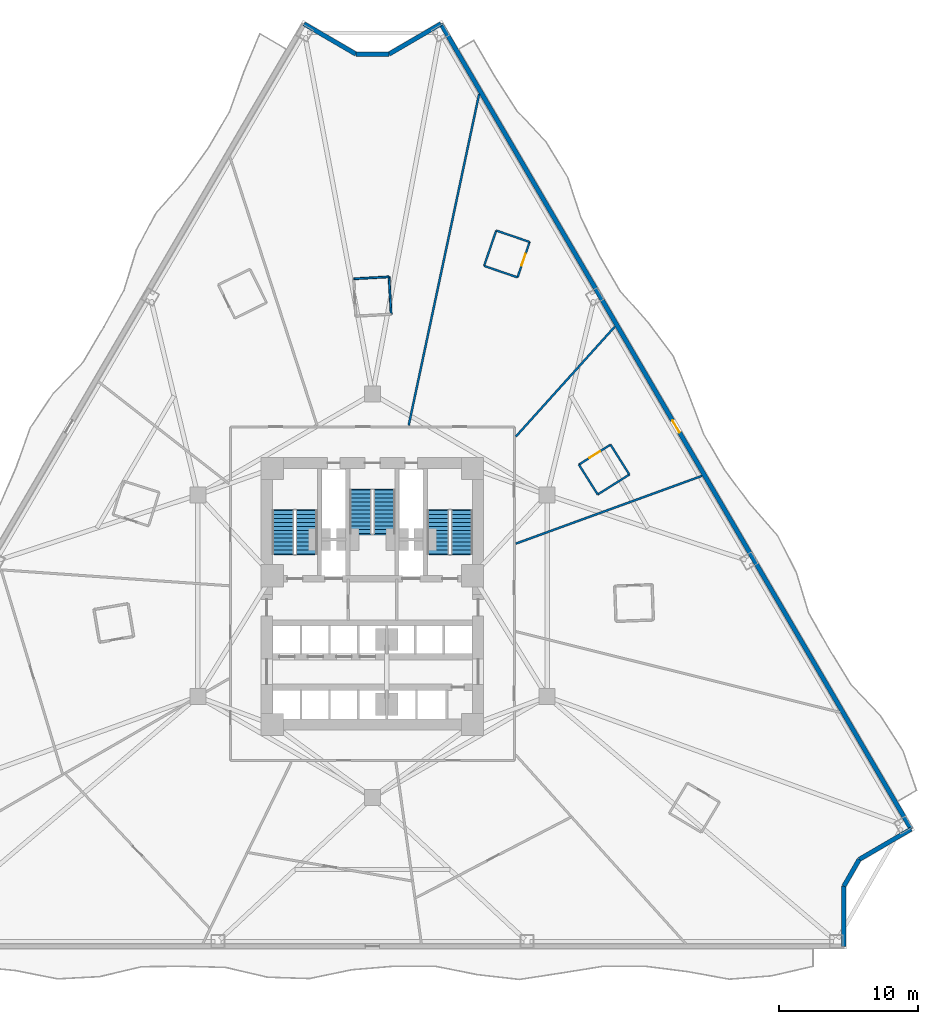
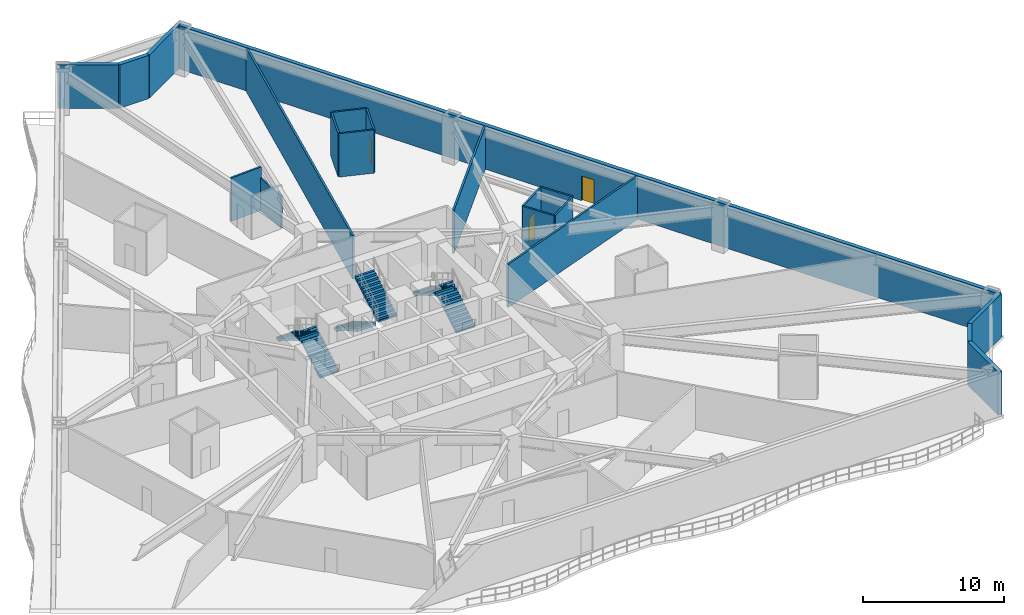
# One storey, part 7 of 12: 20 walls, 6 stair flights, 3 doors, 3 openings, 3 elements without a shape of their own.
"""IFC4 building model written with IfcOpenShell, lengths in metres."""

from ifc_helpers import new_model, si_unit, direction, frame, frame_2d, origin, place, context, subcontext, project, spatial, polyline, rectangle, outline, extrude, material, layer, layer_set, type_object, element, fill, aggregate, save


model = new_model("IFC4")

# Units and contexts
model_context = context("Model", 3, precision=1e-05, world=origin(), true_north=direction((0.0, 1.0)))
body_context = subcontext(model_context, "Body", "Model", "MODEL_VIEW")
ifc_project = project(units=[si_unit("LENGTHUNIT", "METRE"), si_unit("AREAUNIT", "SQUARE_METRE"), si_unit("VOLUMEUNIT", "CUBIC_METRE"), si_unit("PLANEANGLEUNIT", "RADIAN"), si_unit("MASSUNIT", "GRAM", prefix="KILO")], contexts=[model_context])

# Site, building, storey
site_placement = place(None, origin())
site = spatial("IfcSite", under=ifc_project, at=site_placement, CompositionType="ELEMENT")
building_placement = place(site_placement, origin())
building = spatial("IfcBuilding", under=site, at=building_placement, Name="Apsidion Concourse Tower", CompositionType="ELEMENT")
storey_placement = place(building_placement, frame((0.0, 0.0, 50.39990234375)))
storey = spatial("IfcBuildingStorey", under=building, at=storey_placement, Name="L10", CompositionType="ELEMENT", Elevation=50.39990234375)

# Wall, opening, door
ifc_material_1 = material(Name="Precast concrete C40/50", Category="concrete")
ifc_layer_1 = layer(ifc_material_1, 0.320068359375)
ifc_layer_set_1 = layer_set([ifc_layer_1], Name="Precast concrete C40/50")
wall_type_1 = type_object("IfcWallType", Name="WL-EXT-320", PredefinedType="STANDARD", material=ifc_layer_set_1)
wall_1_placement = place(storey_placement, frame((4.9228515625, 41.121826171875, 0.0), z_axis=(0.0, 0.0, 1.0), x_axis=(0.504213113214, -0.863579258935, 0.0)))
wall_1 = element("IfcWall", 1, at=wall_1_placement, inside=storey, type_object=wall_type_1, Name="L10 Precast Stone Facade Wall 01", PredefinedType="STANDARD", context=body_context, shape_type="SweptSolid", body=[
    extrude(rectangle(XDim=67.041015625, YDim=0.320068359375, at=frame_2d((33.5205078125, 0.0))), origin(), (0.0, 0.0, 1.0), 3.75),
])
opening_1_placement = place(wall_1_placement, frame((33.0205078125, 0.0, 0.0)))
opening_1 = element("IfcOpeningElement", 2, at=opening_1_placement, cuts=wall_1, Name="Opening D-T1L", PredefinedType="OPENING", context=body_context, shape_type="SweptSolid", body=[
    extrude(rectangle(XDim=1.0, YDim=2.14990234375, at=frame_2d((0.5, 1.074951171875))), frame((0.0, 0.169921875, 0.0), z_axis=(0.0, -1.0, 0.0), x_axis=(1.0, 0.0, 0.0)), (0.0, 0.0, 1.0), 0.340087890625),
])
ifc_material_2 = material(Name="Anodised aluminium EN AW-6063 T6", Category="aluminium")
door_type_1 = type_object("IfcDoorType", Name="DR-TER-1022L", OperationType="SINGLE_SWING_LEFT", PredefinedType="DOOR", material=ifc_material_2)
door_1_placement = place(opening_1_placement, origin())
door_1 = element("IfcDoor", 3, at=door_1_placement, inside=storey, type_object=door_type_1, Name="L10 Balcony Access Door 3", OperationType="SINGLE_SWING_LEFT", OverallHeight=2.14990234375, OverallWidth=1.0, PredefinedType="DOOR", context=body_context, shape_type="SweptSolid", body=[
    extrude(rectangle(XDim=1.0, YDim=2.14990234375, at=frame_2d((0.5, 1.074951171875))), frame((0.0, 0.02490234375, 0.0), z_axis=(0.0, -1.0, 0.0), x_axis=(1.0, 0.0, 0.0)), (0.0, 0.0, 1.0), 0.050048828125),
])
fill(opening_1, door_1)

# Walls
wall_2_placement = place(storey_placement, frame((38.725830078125, -16.7734375, 0.0), z_axis=(0.0, 0.0, 1.0), x_axis=(-0.863569936823, -0.504229079105, 0.0)))
element("IfcWall", 4, at=wall_2_placement, inside=storey, type_object=wall_type_1, Name="L10 Precast Stone Facade Wall 02", PredefinedType="STANDARD", context=body_context, shape_type="SweptSolid", body=[
    extrude(rectangle(XDim=4.32373046875, YDim=0.320068359375, at=frame_2d((2.161865234375, 0.0))), origin(), (0.0, 0.0, 1.0), 3.75),
])
wall_3_placement = place(storey_placement, frame((34.991943359375, -18.95361328125, 0.0), z_axis=(0.0, 0.0, 1.0), x_axis=(-0.497881323344, -0.867245171717, 0.0)))
element("IfcWall", 5, at=wall_3_placement, inside=storey, type_object=wall_type_1, Name="L10 Precast Stone Facade Wall 03", PredefinedType="STANDARD", context=body_context, shape_type="SweptSolid", body=[
    extrude(rectangle(XDim=2.216796875, YDim=0.320068359375, at=frame_2d((1.1083984375, 0.0))), origin(), (0.0, 0.0, 1.0), 3.75),
])
wall_4_placement = place(storey_placement, frame((33.88818359375, -20.876220703125, 0.0), z_axis=(0.0, 0.0, 1.0), x_axis=(0.0, -1.0, 0.0)))
element("IfcWall", 6, at=wall_4_placement, inside=storey, type_object=wall_type_1, Name="L10 Precast Stone Facade Wall 04", PredefinedType="STANDARD", context=body_context, shape_type="SweptSolid", body=[
    extrude(rectangle(XDim=4.32373046875, YDim=0.320068359375, at=frame_2d((2.161865234375, 0.0))), origin(), (0.0, 0.0, 1.0), 3.75),
])
wall_5_placement = place(storey_placement, frame((-4.9228515625, 41.121826171875, 0.0), z_axis=(0.0, 0.0, 1.0), x_axis=(0.863588414101, -0.50419743259, 0.0)))
element("IfcWall", 7, at=wall_5_placement, inside=storey, type_object=wall_type_1, Name="L10 Precast Stone Facade Wall 10", PredefinedType="STANDARD", context=body_context, shape_type="SweptSolid", body=[
    extrude(rectangle(XDim=4.324462890625, YDim=0.320068359375, at=frame_2d((2.162109375, 0.0))), origin(), (0.0, 0.0, 1.0), 3.75),
])
wall_6_placement = place(storey_placement, frame((-1.188232421875, 38.94140625, 0.0), z_axis=(0.0, 0.0, 1.0), x_axis=(1.0, 0.0, 0.0)))
element("IfcWall", 8, at=wall_6_placement, inside=storey, type_object=wall_type_1, Name="L10 Precast Stone Facade Wall 11", PredefinedType="STANDARD", context=body_context, shape_type="SweptSolid", body=[
    extrude(rectangle(XDim=2.37646484375, YDim=0.320068359375, at=frame_2d((1.188232421875, 0.0))), origin(), (0.0, 0.0, 1.0), 3.75),
])
wall_7_placement = place(storey_placement, frame((1.188232421875, 38.94140625, 0.0), z_axis=(0.0, 0.0, 1.0), x_axis=(0.863588414101, 0.50419743259, 0.0)))
element("IfcWall", 9, at=wall_7_placement, inside=storey, type_object=wall_type_1, Name="L10 Precast Stone Facade Wall 12", PredefinedType="STANDARD", context=body_context, shape_type="SweptSolid", body=[
    extrude(rectangle(XDim=4.324462890625, YDim=0.320068359375, at=frame_2d((2.162109375, 0.0))), origin(), (0.0, 0.0, 1.0), 3.75),
])
ifc_material_3 = material(Name="Gypsum plasterboard partition")
ifc_layer_2 = layer(ifc_material_3, 0.139892578125)
ifc_layer_set_2 = layer_set([ifc_layer_2], Name="Gypsum plasterboard partition")
wall_type_2 = type_object("IfcWallType", Name="WL-INT-PAR-140", PredefinedType="PARTITIONING", material=ifc_layer_set_2)
wall_8_placement = place(storey_placement, frame((16.19287109375, 7.283203125, 0.0), z_axis=(0.0, 0.0, 1.0), x_axis=(0.846152501914, 0.532940844282, 0.0)))
element("IfcWall", 10, at=wall_8_placement, inside=storey, type_object=wall_type_2, Name="L10 Interior Partition WL-L10-POD-ENS06-S1", PredefinedType="PARTITIONING", context=body_context, shape_type="SweptSolid", body=[
    extrude(rectangle(XDim=2.68994140625, YDim=0.139892578125, at=frame_2d((1.344970703125, 0.0))), origin(), (0.0, 0.0, 1.0), 3.75),
])
wall_9_placement = place(storey_placement, frame((18.468994140625, 8.716796875, 0.0), z_axis=(0.0, 0.0, 1.0), x_axis=(-0.53290759563, 0.846173442339, 0.0)))
element("IfcWall", 11, at=wall_9_placement, inside=storey, type_object=wall_type_2, Name="L10 Interior Partition WL-L10-POD-ENS06-S2", PredefinedType="PARTITIONING", context=body_context, shape_type="SweptSolid", body=[
    extrude(rectangle(XDim=2.539794921875, YDim=0.139892578125, at=frame_2d((1.27001953125, 0.0))), origin(), (0.0, 0.0, 1.0), 3.75),
])

# Wall, opening, door
wall_10_placement = place(storey_placement, frame((17.115478515625, 10.865966796875, 0.0), z_axis=(0.0, 0.0, 1.0), x_axis=(-0.846193429407, -0.532875857991, 0.0)))
wall_10 = element("IfcWall", 12, at=wall_10_placement, inside=storey, type_object=wall_type_2, Name="L10 Interior Partition WL-L10-POD-ENS06-S3", PredefinedType="PARTITIONING", context=body_context, shape_type="SweptSolid", body=[
    extrude(rectangle(XDim=2.68994140625, YDim=0.139892578125, at=frame_2d((1.344970703125, 0.0))), origin(), (0.0, 0.0, 1.0), 3.75),
])
opening_2_placement = place(wall_10_placement, frame((0.905029296875, 0.0, 0.0)))
opening_2 = element("IfcOpeningElement", 13, at=opening_2_placement, cuts=wall_10, Name="Opening D-03L", PredefinedType="OPENING", context=body_context, shape_type="SweptSolid", body=[
    extrude(rectangle(XDim=0.8798828125, YDim=2.10009765625, at=frame_2d((0.43994140625, 1.050048828125))), frame((0.0, 0.080078125, 0.0), z_axis=(0.0, -1.0, 0.0), x_axis=(1.0, 0.0, 0.0)), (0.0, 0.0, 1.0), 0.159912109375),
])
door_type_2 = type_object("IfcDoorType", Name="DR-INT-D03L", OperationType="SINGLE_SWING_LEFT", PredefinedType="DOOR", material=ifc_material_2)
door_2_placement = place(opening_2_placement, origin())
door_2 = element("IfcDoor", 14, at=door_2_placement, inside=storey, type_object=door_type_2, Name="L10 Guest En-Suite Bathroom Door ENS06", OperationType="SINGLE_SWING_LEFT", OverallHeight=2.10009765625, OverallWidth=0.8798828125, PredefinedType="DOOR", context=body_context, shape_type="SweptSolid", body=[
    extrude(rectangle(XDim=0.8798828125, YDim=2.10009765625, at=frame_2d((0.43994140625, 1.050048828125))), frame((0.0, 0.02490234375, 0.0), z_axis=(0.0, -1.0, 0.0), x_axis=(1.0, 0.0, 0.0)), (0.0, 0.0, 1.0), 0.050048828125),
])
fill(opening_2, door_2)

# Wall
wall_11_placement = place(storey_placement, frame((14.83935546875, 9.4326171875, 0.0), z_axis=(0.0, 0.0, 1.0), x_axis=(0.532864253358, -0.846200737115, 0.0)))
element("IfcWall", 15, at=wall_11_placement, inside=storey, type_object=wall_type_2, Name="L10 Interior Partition WL-L10-POD-ENS06-S4", PredefinedType="PARTITIONING", context=body_context, shape_type="SweptSolid", body=[
    extrude(rectangle(XDim=2.5400390625, YDim=0.139892578125, at=frame_2d((1.27001953125, 0.0))), origin(), (0.0, 0.0, 1.0), 3.75),
])

# Wall, opening, door
wall_12_placement = place(storey_placement, frame((10.42822265625, 22.892578125, 0.0), z_axis=(0.0, 0.0, 1.0), x_axis=(0.323922868878, 0.946083492625, 0.0)))
wall_12 = element("IfcWall", 16, at=wall_12_placement, inside=storey, type_object=wall_type_2, Name="L10 Interior Partition WL-L10-POD-ENS07-S1", PredefinedType="PARTITIONING", context=body_context, shape_type="SweptSolid", body=[
    extrude(rectangle(XDim=2.68994140625, YDim=0.139892578125, at=frame_2d((1.344970703125, 0.0))), origin(), (0.0, 0.0, 1.0), 3.75),
])
opening_3_placement = place(wall_12_placement, frame((0.905029296875, 0.0, 0.0)))
opening_3 = element("IfcOpeningElement", 17, at=opening_3_placement, cuts=wall_12, Name="Opening D-03R", PredefinedType="OPENING", context=body_context, shape_type="SweptSolid", body=[
    extrude(rectangle(XDim=0.8798828125, YDim=2.10009765625, at=frame_2d((0.43994140625, 1.050048828125))), frame((0.0, 0.080078125, 0.0), z_axis=(0.0, -1.0, 0.0), x_axis=(1.0, 0.0, 0.0)), (0.0, 0.0, 1.0), 0.159912109375),
])
door_type_3 = type_object("IfcDoorType", Name="DR-INT-D03R", OperationType="SINGLE_SWING_RIGHT", PredefinedType="DOOR", material=ifc_material_2)
door_3_placement = place(opening_3_placement, origin())
door_3 = element("IfcDoor", 18, at=door_3_placement, inside=storey, type_object=door_type_3, Name="L10 Guest En-Suite Bathroom Door ENS07", OperationType="SINGLE_SWING_RIGHT", OverallHeight=2.10009765625, OverallWidth=0.8798828125, PredefinedType="DOOR", context=body_context, shape_type="SweptSolid", body=[
    extrude(rectangle(XDim=0.8798828125, YDim=2.10009765625, at=frame_2d((0.43994140625, 1.050048828125))), frame((0.0, 0.02490234375, 0.0), z_axis=(0.0, -1.0, 0.0), x_axis=(1.0, 0.0, 0.0)), (0.0, 0.0, 1.0), 0.050048828125),
])
fill(opening_3, door_3)

# Walls
wall_13_placement = place(storey_placement, frame((11.299560546875, 25.4375, 0.0), z_axis=(0.0, 0.0, 1.0), x_axis=(-0.946085716499, 0.323916373524, 0.0)))
element("IfcWall", 19, at=wall_13_placement, inside=storey, type_object=wall_type_2, Name="L10 Interior Partition WL-L10-POD-ENS07-S2", PredefinedType="PARTITIONING", context=body_context, shape_type="SweptSolid", body=[
    extrude(rectangle(XDim=2.5400390625, YDim=0.139892578125, at=frame_2d((1.27001953125, 0.0))), origin(), (0.0, 0.0, 1.0), 3.75),
])
wall_14_placement = place(storey_placement, frame((8.896484375, 26.26025390625, 0.0), z_axis=(0.0, 0.0, 1.0), x_axis=(-0.323922868878, -0.946083492625, 0.0)))
element("IfcWall", 20, at=wall_14_placement, inside=storey, type_object=wall_type_2, Name="L10 Interior Partition WL-L10-POD-ENS07-S3", PredefinedType="PARTITIONING", context=body_context, shape_type="SweptSolid", body=[
    extrude(rectangle(XDim=2.68994140625, YDim=0.139892578125, at=frame_2d((1.344970703125, 0.0))), origin(), (0.0, 0.0, 1.0), 3.75),
])
wall_15_placement = place(storey_placement, frame((8.025146484375, 23.71533203125, 0.0), z_axis=(0.0, 0.0, 1.0), x_axis=(0.946085716499, -0.323916373524, 0.0)))
element("IfcWall", 21, at=wall_15_placement, inside=storey, type_object=wall_type_2, Name="L10 Interior Partition WL-L10-POD-ENS07-S4", PredefinedType="PARTITIONING", context=body_context, shape_type="SweptSolid", body=[
    extrude(rectangle(XDim=2.5400390625, YDim=0.139892578125, at=frame_2d((1.27001953125, 0.0))), origin(), (0.0, 0.0, 1.0), 3.75),
])
wall_16_placement = place(storey_placement, frame((1.341552734375, 20.243896484375, 0.0), z_axis=(0.0, 0.0, 1.0), x_axis=(-0.055816855724, 0.998441024106, 0.0)))
element("IfcWall", 22, at=wall_16_placement, inside=storey, type_object=wall_type_2, Name="L10 Interior Partition WL-L10-POD-ENS08-S1", PredefinedType="PARTITIONING", context=body_context, shape_type="SweptSolid", body=[
    extrude(rectangle(XDim=2.68994140625, YDim=0.139892578125, at=frame_2d((1.344970703125, 0.0))), origin(), (0.0, 0.0, 1.0), 2.798095703125),
])
wall_17_placement = place(storey_placement, frame((1.19140625, 22.9296875, 0.0), z_axis=(0.0, 0.0, 1.0), x_axis=(-0.998439582043, -0.055842645087, 0.0)))
element("IfcWall", 23, at=wall_17_placement, inside=storey, type_object=wall_type_2, Name="L10 Interior Partition WL-L10-POD-ENS08-S2", PredefinedType="PARTITIONING", context=body_context, shape_type="SweptSolid", body=[
    extrude(rectangle(XDim=2.5400390625, YDim=0.139892578125, at=frame_2d((1.27001953125, 0.0))), origin(), (0.0, 0.0, 1.0), 3.75),
])
ifc_layer_3 = layer(ifc_material_3, 0.14990234375)
ifc_layer_set_3 = layer_set([ifc_layer_3], Name="Gypsum plasterboard partition")
wall_type_3 = type_object("IfcWallType", Name="WL-INT-PAR-150", PredefinedType="PARTITIONING", material=ifc_layer_set_3)
wall_18_placement = place(storey_placement, frame((10.304931640625, 3.750732421875, 0.0), z_axis=(0.0, 0.0, 1.0), x_axis=(0.93969583409, 0.342011314716, 0.0)))
element("IfcWall", 24, at=wall_18_placement, inside=storey, type_object=wall_type_3, Name="L10 Interior Partition WL-L10-RAD-01-1", PredefinedType="PARTITIONING", context=body_context, shape_type="SweptSolid", body=[
    extrude(rectangle(XDim=14.2490234375, YDim=0.14990234375, at=frame_2d((7.12451171875, 0.0))), origin(), (0.0, 0.0, 1.0), 3.75),
])
wall_19_placement = place(storey_placement, frame((10.304931640625, 11.44482421875, 0.0), z_axis=(0.0, 0.0, 1.0), x_axis=(0.6691357603, 0.743140184815, 0.0)))
element("IfcWall", 25, at=wall_19_placement, inside=storey, type_object=wall_type_3, Name="L10 Interior Partition WL-L10-RAD-02-1", PredefinedType="PARTITIONING", context=body_context, shape_type="SweptSolid", body=[
    extrude(rectangle(XDim=10.64599609375, YDim=0.14990234375, at=frame_2d((5.322998046875, 0.0))), origin(), (0.0, 0.0, 1.0), 3.75),
])
wall_20_placement = place(storey_placement, frame((2.60498046875, 12.2548828125, 0.0), z_axis=(0.0, 0.0, 1.0), x_axis=(0.207909477675, 0.978148071149, 0.0)))
element("IfcWall", 26, at=wall_20_placement, inside=storey, type_object=wall_type_3, Name="L10 Interior Partition WL-L10-RAD-03-1", PredefinedType="PARTITIONING", context=body_context, shape_type="SweptSolid", body=[
    extrude(rectangle(XDim=24.350830078125, YDim=0.14990234375, at=frame_2d((12.17529296875, 0.0))), origin(), (0.0, 0.0, 1.0), 3.75),
])

# Stair, stair flights
stair_type = type_object("IfcStairType", Name="ST-DL-1550", PredefinedType="HALF_TURN_STAIR", material=ifc_material_1)
stair_1_placement = place(storey_placement, origin())
stair_1 = element("IfcStair", 27, at=stair_1_placement, inside=storey, type_object=stair_type, Name="L10 Protected Core Exit Stair ST1", PredefinedType="HALF_TURN_STAIR")
stair_flight_type = type_object("IfcStairFlightType", Name="SFL-RC-1550", PredefinedType="STRAIGHT", material=ifc_material_1)
stair_flight_1_placement = place(storey_placement, frame((-4.72509765625, 3.0, 0.0), z_axis=(0.0, 0.0, 1.0), x_axis=(0.0, 1.0, 0.0)))
stair_flight_1 = element("IfcStairFlight", 28, at=stair_flight_1_placement, type_object=stair_flight_type, Name="ST1 flight 1", NumberOfRisers=12, NumberOfTreads=11, PredefinedType="STRAIGHT", RiserHeight=0.166666667, TreadLength=0.285, context=body_context, shape_type="SweptSolid", body=[
    extrude(outline(polyline([(-0.080078125, -0.1123046875), (-0.080078125, 0.0), (0.0, 0.0), (0.0, 0.166748046875), (0.284912109375, 0.166748046875), (0.284912109375, 0.333251953125), (0.570068359375, 0.333251953125), (0.570068359375, 0.5), (0.85498046875, 0.5), (0.85498046875, 0.666748046875), (1.139892578125, 0.666748046875), (1.139892578125, 0.833251953125), (1.425048828125, 0.833251953125), (1.425048828125, 1.0), (1.7099609375, 1.0), (1.7099609375, 1.166748046875), (1.9951171875, 1.166748046875), (1.9951171875, 1.333251953125), (2.280029296875, 1.333251953125), (2.280029296875, 1.5), (2.56494140625, 1.5), (2.56494140625, 1.666748046875), (2.85009765625, 1.666748046875), (2.85009765625, 1.833251953125), (3.135009765625, 1.833251953125), (3.135009765625, 2.0), (3.215087890625, 1.916748046875), (3.215087890625, 1.65966796875), (3.135009765625, 1.65966796875), (0.296875, 0.0), (0.296875, -0.1123046875), (-0.080078125, -0.1123046875)])), frame((0.0, 0.77490234375, 0.0), z_axis=(0.0, -1.0, 0.0), x_axis=(1.0, 0.0, 0.0)), (0.0, 0.0, 1.0), 1.550048828125),
])
stair_flight_2_placement = place(storey_placement, frame((-6.425048828125, 6.135009765625, 2.0), z_axis=(0.0, 0.0, 1.0), x_axis=(0.0, -1.0, 0.0)))
stair_flight_2 = element("IfcStairFlight", 29, at=stair_flight_2_placement, type_object=stair_flight_type, Name="ST1 flight 2", NumberOfRisers=12, NumberOfTreads=11, PredefinedType="STRAIGHT", RiserHeight=0.166666667, TreadLength=0.285, context=body_context, shape_type="SweptSolid", body=[
    extrude(outline(polyline([(-0.080078125, -0.1123046875), (-0.080078125, 0.0), (0.0, 0.0), (0.0, 0.166748046875), (0.284912109375, 0.166748046875), (0.284912109375, 0.333251953125), (0.570068359375, 0.333251953125), (0.570068359375, 0.5), (0.85498046875, 0.5), (0.85498046875, 0.666748046875), (1.139892578125, 0.666748046875), (1.139892578125, 0.833251953125), (1.425048828125, 0.833251953125), (1.425048828125, 1.0), (1.7099609375, 1.0), (1.7099609375, 1.166748046875), (1.9951171875, 1.166748046875), (1.9951171875, 1.333251953125), (2.280029296875, 1.333251953125), (2.280029296875, 1.5), (2.56494140625, 1.5), (2.56494140625, 1.666748046875), (2.85009765625, 1.666748046875), (2.85009765625, 1.833251953125), (3.135009765625, 1.833251953125), (3.135009765625, 2.0), (3.215087890625, 1.916748046875), (3.215087890625, 1.65966796875), (3.135009765625, 1.65966796875), (0.296875, 0.0), (0.296875, -0.1123046875), (-0.080078125, -0.1123046875)])), frame((0.0, 0.77490234375, 0.0), z_axis=(0.0, -1.0, 0.0), x_axis=(1.0, 0.0, 0.0)), (0.0, 0.0, 1.0), 1.550048828125),
])
aggregate(stair_1, [stair_flight_1, stair_flight_2])

stair_2_placement = place(storey_placement, origin())
stair_2 = element("IfcStair", 30, at=stair_2_placement, inside=storey, type_object=stair_type, Name="L10 Protected Core Exit Stair ST2", PredefinedType="HALF_TURN_STAIR")
stair_flight_3_placement = place(storey_placement, frame((6.425048828125, 3.0, 0.0), z_axis=(0.0, 0.0, 1.0), x_axis=(0.0, 1.0, 0.0)))
stair_flight_3 = element("IfcStairFlight", 31, at=stair_flight_3_placement, type_object=stair_flight_type, Name="ST2 flight 1", NumberOfRisers=12, NumberOfTreads=11, PredefinedType="STRAIGHT", RiserHeight=0.166666667, TreadLength=0.285, context=body_context, shape_type="SweptSolid", body=[
    extrude(outline(polyline([(-0.080078125, -0.1123046875), (-0.080078125, 0.0), (0.0, 0.0), (0.0, 0.166748046875), (0.284912109375, 0.166748046875), (0.284912109375, 0.333251953125), (0.570068359375, 0.333251953125), (0.570068359375, 0.5), (0.85498046875, 0.5), (0.85498046875, 0.666748046875), (1.139892578125, 0.666748046875), (1.139892578125, 0.833251953125), (1.425048828125, 0.833251953125), (1.425048828125, 1.0), (1.7099609375, 1.0), (1.7099609375, 1.166748046875), (1.9951171875, 1.166748046875), (1.9951171875, 1.333251953125), (2.280029296875, 1.333251953125), (2.280029296875, 1.5), (2.56494140625, 1.5), (2.56494140625, 1.666748046875), (2.85009765625, 1.666748046875), (2.85009765625, 1.833251953125), (3.135009765625, 1.833251953125), (3.135009765625, 2.0), (3.215087890625, 1.916748046875), (3.215087890625, 1.65966796875), (3.135009765625, 1.65966796875), (0.296875, 0.0), (0.296875, -0.1123046875), (-0.080078125, -0.1123046875)])), frame((0.0, 0.77490234375, 0.0), z_axis=(0.0, -1.0, 0.0), x_axis=(1.0, 0.0, 0.0)), (0.0, 0.0, 1.0), 1.550048828125),
])
stair_flight_4_placement = place(storey_placement, frame((4.72509765625, 6.135009765625, 2.0), z_axis=(0.0, 0.0, 1.0), x_axis=(0.0, -1.0, 0.0)))
stair_flight_4 = element("IfcStairFlight", 32, at=stair_flight_4_placement, type_object=stair_flight_type, Name="ST2 flight 2", NumberOfRisers=12, NumberOfTreads=11, PredefinedType="STRAIGHT", RiserHeight=0.166666667, TreadLength=0.285, context=body_context, shape_type="SweptSolid", body=[
    extrude(outline(polyline([(-0.080078125, -0.1123046875), (-0.080078125, 0.0), (0.0, 0.0), (0.0, 0.166748046875), (0.284912109375, 0.166748046875), (0.284912109375, 0.333251953125), (0.570068359375, 0.333251953125), (0.570068359375, 0.5), (0.85498046875, 0.5), (0.85498046875, 0.666748046875), (1.139892578125, 0.666748046875), (1.139892578125, 0.833251953125), (1.425048828125, 0.833251953125), (1.425048828125, 1.0), (1.7099609375, 1.0), (1.7099609375, 1.166748046875), (1.9951171875, 1.166748046875), (1.9951171875, 1.333251953125), (2.280029296875, 1.333251953125), (2.280029296875, 1.5), (2.56494140625, 1.5), (2.56494140625, 1.666748046875), (2.85009765625, 1.666748046875), (2.85009765625, 1.833251953125), (3.135009765625, 1.833251953125), (3.135009765625, 2.0), (3.215087890625, 1.916748046875), (3.215087890625, 1.65966796875), (3.135009765625, 1.65966796875), (0.296875, 0.0), (0.296875, -0.1123046875), (-0.080078125, -0.1123046875)])), frame((0.0, 0.77490234375, 0.0), z_axis=(0.0, -1.0, 0.0), x_axis=(1.0, 0.0, 0.0)), (0.0, 0.0, 1.0), 1.550048828125),
])
aggregate(stair_2, [stair_flight_3, stair_flight_4])

stair_3_placement = place(storey_placement, origin())
stair_3 = element("IfcStair", 33, at=stair_3_placement, inside=storey, type_object=stair_type, Name="L10 Protected Core Exit Stair ST3", PredefinedType="HALF_TURN_STAIR")
stair_flight_5_placement = place(storey_placement, frame((-0.85009765625, 7.60009765625, 0.0), z_axis=(0.0, 0.0, 1.0), x_axis=(0.0, -1.0, 0.0)))
stair_flight_5 = element("IfcStairFlight", 34, at=stair_flight_5_placement, type_object=stair_flight_type, Name="ST3 flight 1", NumberOfRisers=12, NumberOfTreads=11, PredefinedType="STRAIGHT", RiserHeight=0.166666667, TreadLength=0.285, context=body_context, shape_type="SweptSolid", body=[
    extrude(outline(polyline([(-0.080078125, -0.1123046875), (-0.080078125, 0.0), (0.0, 0.0), (0.0, 0.166748046875), (0.284912109375, 0.166748046875), (0.284912109375, 0.333251953125), (0.570068359375, 0.333251953125), (0.570068359375, 0.5), (0.85498046875, 0.5), (0.85498046875, 0.666748046875), (1.139892578125, 0.666748046875), (1.139892578125, 0.833251953125), (1.425048828125, 0.833251953125), (1.425048828125, 1.0), (1.7099609375, 1.0), (1.7099609375, 1.166748046875), (1.9951171875, 1.166748046875), (1.9951171875, 1.333251953125), (2.280029296875, 1.333251953125), (2.280029296875, 1.5), (2.56494140625, 1.5), (2.56494140625, 1.666748046875), (2.85009765625, 1.666748046875), (2.85009765625, 1.833251953125), (3.135009765625, 1.833251953125), (3.135009765625, 2.0), (3.215087890625, 1.916748046875), (3.215087890625, 1.65966796875), (3.135009765625, 1.65966796875), (0.296875, 0.0), (0.296875, -0.1123046875), (-0.080078125, -0.1123046875)])), frame((0.0, 0.77490234375, 0.0), z_axis=(0.0, -1.0, 0.0), x_axis=(1.0, 0.0, 0.0)), (0.0, 0.0, 1.0), 1.550048828125),
])
stair_flight_6_placement = place(storey_placement, frame((0.85009765625, 4.465087890625, 2.0), z_axis=(0.0, 0.0, 1.0), x_axis=(0.0, 1.0, 0.0)))
stair_flight_6 = element("IfcStairFlight", 35, at=stair_flight_6_placement, type_object=stair_flight_type, Name="ST3 flight 2", NumberOfRisers=12, NumberOfTreads=11, PredefinedType="STRAIGHT", RiserHeight=0.166666667, TreadLength=0.285, context=body_context, shape_type="SweptSolid", body=[
    extrude(outline(polyline([(-0.080078125, -0.1123046875), (-0.080078125, 0.0), (0.0, 0.0), (0.0, 0.166748046875), (0.284912109375, 0.166748046875), (0.284912109375, 0.333251953125), (0.570068359375, 0.333251953125), (0.570068359375, 0.5), (0.85498046875, 0.5), (0.85498046875, 0.666748046875), (1.139892578125, 0.666748046875), (1.139892578125, 0.833251953125), (1.425048828125, 0.833251953125), (1.425048828125, 1.0), (1.7099609375, 1.0), (1.7099609375, 1.166748046875), (1.9951171875, 1.166748046875), (1.9951171875, 1.333251953125), (2.280029296875, 1.333251953125), (2.280029296875, 1.5), (2.56494140625, 1.5), (2.56494140625, 1.666748046875), (2.85009765625, 1.666748046875), (2.85009765625, 1.833251953125), (3.135009765625, 1.833251953125), (3.135009765625, 2.0), (3.215087890625, 1.916748046875), (3.215087890625, 1.65966796875), (3.135009765625, 1.65966796875), (0.296875, 0.0), (0.296875, -0.1123046875), (-0.080078125, -0.1123046875)])), frame((0.0, 0.77490234375, 0.0), z_axis=(0.0, -1.0, 0.0), x_axis=(1.0, 0.0, 0.0)), (0.0, 0.0, 1.0), 1.550048828125),
])
aggregate(stair_3, [stair_flight_5, stair_flight_6])

save(model, "model.ifc")
